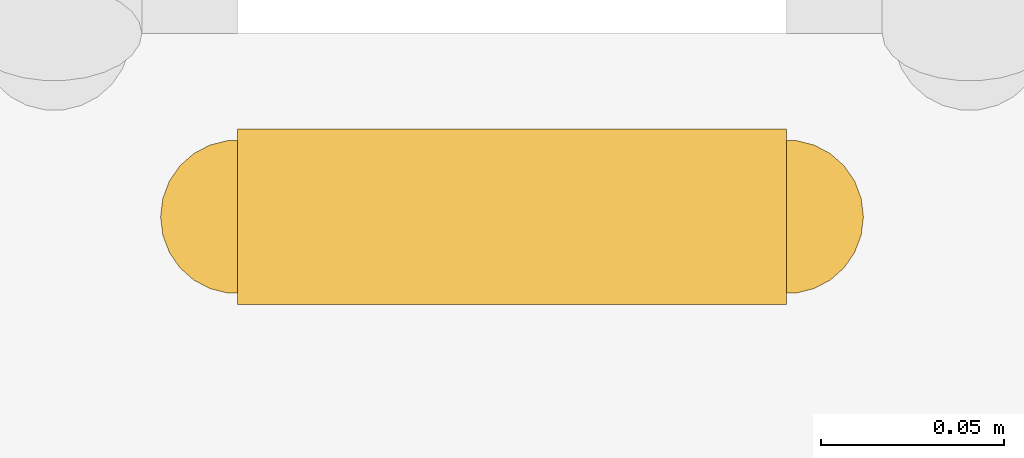
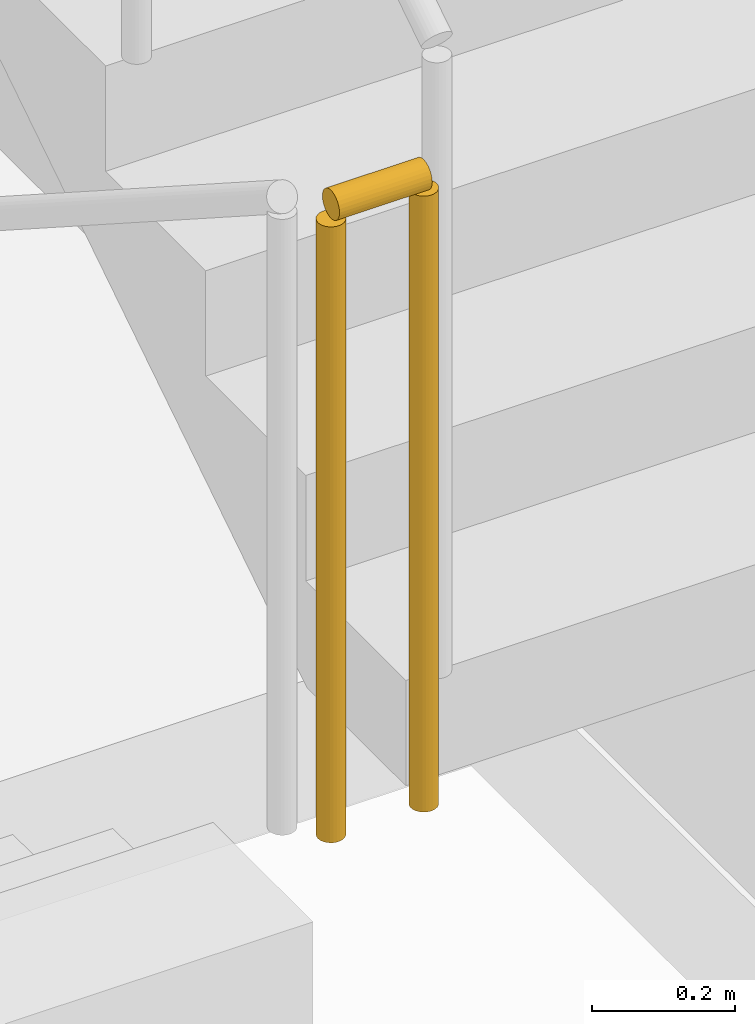
# One storey, part 8 of 12: 1 railing.
"""IFC4 building model written with IfcOpenShell, lengths in metres."""

from ifc_helpers import new_model, si_unit, direction, frame, origin, origin_2d, place, context, subcontext, project, spatial, circle, extrude, material, type_object, element, save


model = new_model("IFC4")

# Units and contexts
model_context = context("Model", 3, precision=1e-05, world=origin(), true_north=direction((0.0, 1.0)))
body_context = subcontext(model_context, "Body", "Model", "MODEL_VIEW")
ifc_project = project(units=[si_unit("LENGTHUNIT", "METRE"), si_unit("AREAUNIT", "SQUARE_METRE"), si_unit("VOLUMEUNIT", "CUBIC_METRE"), si_unit("PLANEANGLEUNIT", "RADIAN"), si_unit("MASSUNIT", "GRAM", prefix="KILO")], contexts=[model_context])

# Site, building, storey
site_placement = place(None, origin())
site = spatial("IfcSite", under=ifc_project, at=site_placement, CompositionType="ELEMENT")
building_placement = place(site_placement, origin())
building = spatial("IfcBuilding", under=site, at=building_placement, Name="Oramaril Tower", CompositionType="ELEMENT")
storey_placement = place(building_placement, frame((0.0, 0.0, 45.300048828125)))
storey = spatial("IfcBuildingStorey", under=building, at=storey_placement, Name="L11", CompositionType="ELEMENT", Elevation=45.300048828125)

# Railing
ifc_material = material(Name="Stainless Steel 316L", Category="steel")
railing_type = type_object("IfcRailingType", Name="RLT-GRD", PredefinedType="GUARDRAIL", material=ifc_material)
railing_placement = place(storey_placement, frame((31.510009765625, 15.02001953125, 1.800048828125)))
element("IfcRailing", 1, at=railing_placement, inside=storey, type_object=railing_type, Name="L11 ST-1 stair guard 2", PredefinedType="GUARDRAIL", context=body_context, shape_type="SweptSolid", body=[
    extrude(circle(Radius=0.02392578125, at=origin_2d()), frame((0.0, 0.0, 1.076171875), z_axis=(1.0, 0.0, 0.0), x_axis=(0.0, 1.0, 0.0)), (0.0, 0.0, 1.0), 0.14990234375),
    extrude(circle(Radius=0.02099609375, at=origin_2d()), origin(), (0.0, 0.0, 1.0), 1.052001953125),
    extrude(circle(Radius=0.02099609375, at=origin_2d()), frame((0.14990234375, 0.0, 0.0)), (0.0, 0.0, 1.0), 1.052001953125),
])

save(model, "model.ifc")
